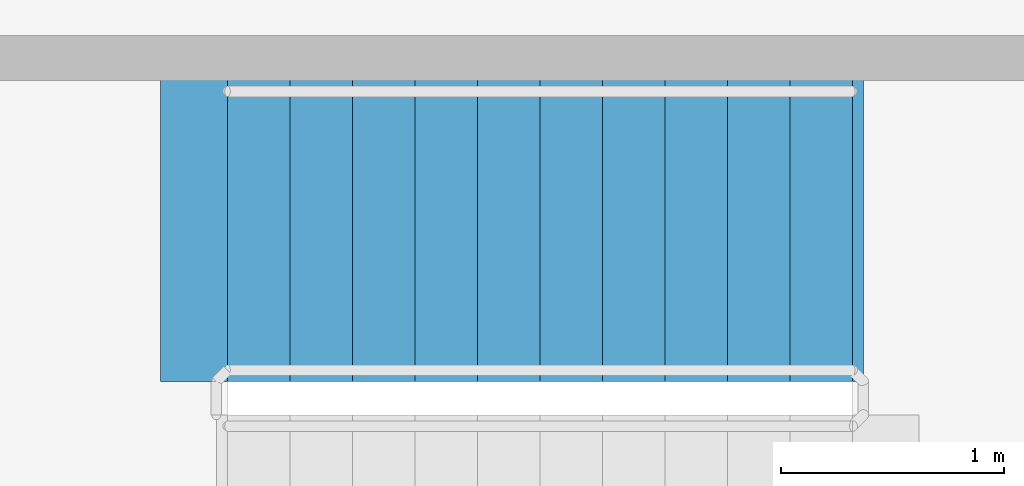
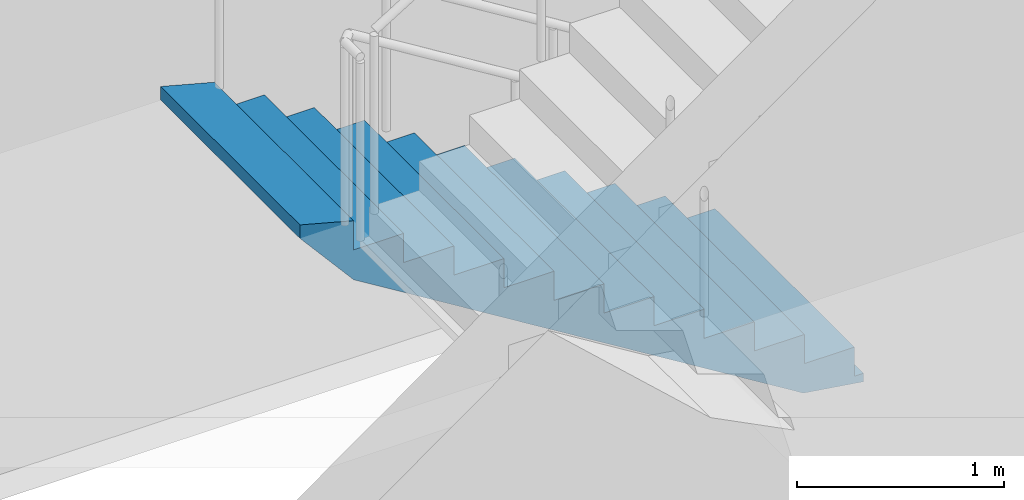
# One storey, part 18 of 22: 1 stair flight, 1 element without a shape of its own.
"""IFC4 building model written with IfcOpenShell, lengths in metres."""

from ifc_helpers import new_model, si_unit, direction, frame, origin, place, context, subcontext, project, spatial, polyline, outline, extrude, material, type_object, element, aggregate, save


model = new_model("IFC4")

# Units and contexts
model_context = context("Model", 3, precision=1e-05, world=origin(), true_north=direction((0.0, 1.0)))
body_context = subcontext(model_context, "Body", "Model", "MODEL_VIEW")
ifc_project = project(units=[si_unit("LENGTHUNIT", "METRE"), si_unit("AREAUNIT", "SQUARE_METRE"), si_unit("VOLUMEUNIT", "CUBIC_METRE"), si_unit("PLANEANGLEUNIT", "RADIAN"), si_unit("MASSUNIT", "GRAM", prefix="KILO")], contexts=[model_context])

# Site, building, storey
site_placement = place(None, origin())
site = spatial("IfcSite", under=ifc_project, at=site_placement, CompositionType="ELEMENT")
building_placement = place(site_placement, origin())
building = spatial("IfcBuilding", under=site, at=building_placement, Name="Zarbagh Exchange Tower", CompositionType="ELEMENT")
storey_placement = place(building_placement, frame((0.0, 0.0, 132.199951171875)))
storey = spatial("IfcBuildingStorey", under=building, at=storey_placement, Name="L31", CompositionType="ELEMENT", Elevation=132.199951171875)

# Stair, stair flight
ifc_material = material(Name="Concrete C40/50", Category="concrete")
stair_type = type_object("IfcStairType", Name="Exit stair two-flight half-turn", PredefinedType="HALF_TURN_STAIR", material=ifc_material)
stair_placement = place(storey_placement, origin())
stair = element("IfcStair", 1, at=stair_placement, inside=storey, type_object=stair_type, Name="exit stair ST1", PredefinedType="HALF_TURN_STAIR")
stair_flight_type = type_object("IfcStairFlightType", Name="Stair flight 1350 mm", PredefinedType="STRAIGHT", material=ifc_material)
stair_flight_placement = place(storey_placement, frame((2.35009765625, 17.375, 0.0), z_axis=(0.0, 0.0, 1.0), x_axis=(-1.0, 0.0, 0.0)))
stair_flight = element("IfcStairFlight", 2, at=stair_flight_placement, type_object=stair_flight_type, Name="ST1 flight 1", NumberOfRisers=11, NumberOfTreads=10, PredefinedType="STRAIGHT", RiserHeight=0.172727273, TreadLength=0.28, context=body_context, shape_type="SweptSolid", body=[
    extrude(outline(polyline([(-0.050048828125, -0.050048828125), (-0.050048828125, 0.0), (0.0, 0.0), (0.0, 0.172607421875), (0.280029296875, 0.172607421875), (0.280029296875, 0.345458984375), (0.56005859375, 0.345458984375), (0.56005859375, 0.51806640625), (0.840087890625, 0.51806640625), (0.840087890625, 0.69091796875), (1.1201171875, 0.69091796875), (1.1201171875, 0.863525390625), (1.39990234375, 0.863525390625), (1.39990234375, 1.036376953125), (1.679931640625, 1.036376953125), (1.679931640625, 1.208984375), (1.9599609375, 1.208984375), (1.9599609375, 1.3818359375), (2.239990234375, 1.3818359375), (2.239990234375, 1.554443359375), (2.52001953125, 1.554443359375), (2.52001953125, 1.727294921875), (2.800048828125, 1.727294921875), (2.800048828125, 1.89990234375), (3.10009765625, 1.97998046875), (3.10009765625, 1.89990234375), (2.800048828125, 1.551025390625), (0.285400390625, 0.0), (-0.050048828125, -0.050048828125)])), frame((0.0, 0.675048828125, 0.0), z_axis=(0.0, -1.0, 0.0), x_axis=(1.0, 0.0, 0.0)), (0.0, 0.0, 1.0), 1.35009765625),
])
aggregate(stair, [stair_flight])

save(model, "model.ifc")
